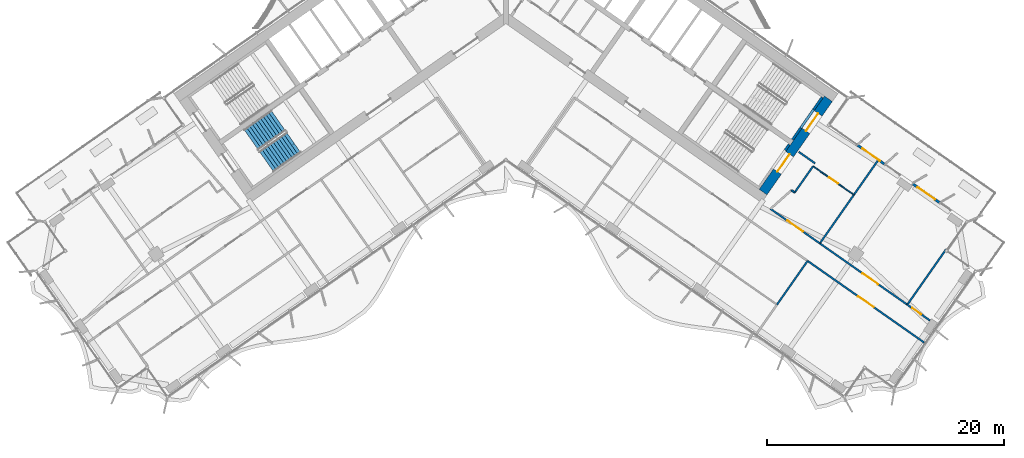
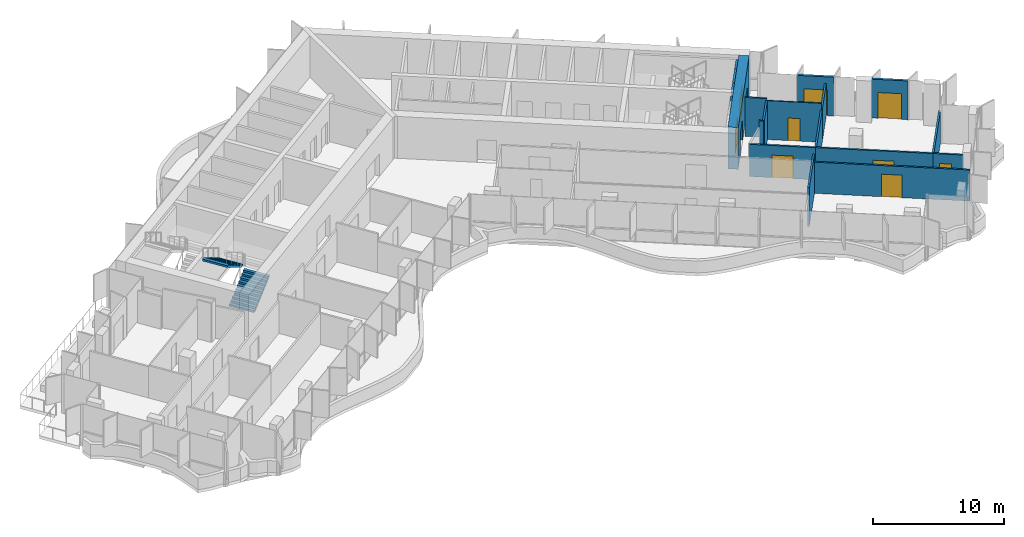
# One storey, part 16 of 24: 19 walls, 9 doors, 2 stair flights, 9 openings, 1 element without a shape of its own.
"""IFC4 building model written with IfcOpenShell, lengths in metres."""

from ifc_helpers import new_model, si_unit, direction, frame, frame_2d, origin, place, context, subcontext, project, spatial, polyline, rectangle, outline, extrude, material, layer, layer_set, type_object, element, fill, aggregate, save


model = new_model("IFC4")

# Units and contexts
model_context = context("Model", 3, precision=1e-05, world=origin(), true_north=direction((0.0, 1.0)))
body_context = subcontext(model_context, "Body", "Model", "MODEL_VIEW")
ifc_project = project(units=[si_unit("LENGTHUNIT", "METRE"), si_unit("AREAUNIT", "SQUARE_METRE"), si_unit("VOLUMEUNIT", "CUBIC_METRE"), si_unit("PLANEANGLEUNIT", "RADIAN"), si_unit("MASSUNIT", "GRAM", prefix="KILO")], contexts=[model_context])

# Site, building, storey
site_placement = place(None, origin())
site = spatial("IfcSite", under=ifc_project, at=site_placement, CompositionType="ELEMENT")
building_placement = place(site_placement, origin())
building = spatial("IfcBuilding", under=site, at=building_placement, Name="Tel Ilan Convention Tower", CompositionType="ELEMENT")
storey_placement = place(building_placement, frame((0.0, 0.0, 132.0)))
storey = spatial("IfcBuildingStorey", under=building, at=storey_placement, Name="L29", CompositionType="ELEMENT", Elevation=132.0)

# Wall, openings, doors
ifc_material_1 = material(Name="Concrete C50/60", Category="concrete")
ifc_layer_1 = layer(ifc_material_1, 0.800048828125)
ifc_layer_set_1 = layer_set([ifc_layer_1], Name="Core Shear Wall 800 mm C50/60")
wall_type_1 = type_object("IfcWallType", Name="Core Shear Wall 800 mm C50/60", PredefinedType="SHEAR", material=ifc_layer_set_1)
wall_1_placement = place(storey_placement, frame((21.6748046875, -15.4208984375, 0.0), z_axis=(0.0, 0.0, 1.0), x_axis=(0.573581815061, 0.819148278049, 0.0)))
wall_1 = element("IfcWall", 1, at=wall_1_placement, inside=storey, type_object=wall_type_1, Name="L29 core wall E-end", PredefinedType="SHEAR", context=body_context, shape_type="SweptSolid", body=[
    extrude(outline(polyline([(9.599853515625, 0.400146484375), (0.0, 0.39990234375), (0.0, -0.39990234375), (9.599853515625, -0.39990234375), (9.599853515625, 0.400146484375)])), origin(), (0.0, 0.0, 1.0), 3.89990234375),
])
opening_1_placement = place(wall_1_placement, frame((6.300048828125, 0.0, 0.0)))
opening_1 = element("IfcOpeningElement", 2, at=opening_1_placement, cuts=wall_1, Name="Opening SD2303", PredefinedType="OPENING", context=body_context, shape_type="SweptSolid", body=[
    extrude(rectangle(XDim=1.800048828125, YDim=2.10009765625, at=frame_2d((0.89990234375, 1.050048828125))), frame((0.0, 0.409912109375, 0.0), z_axis=(0.0, -1.0, 0.0), x_axis=(1.0, 0.0, 0.0)), (0.0, 0.0, 1.0), 0.820068359375),
])
opening_2_placement = place(wall_1_placement, frame((2.10009765625, 0.0, 0.0)))
opening_2 = element("IfcOpeningElement", 3, at=opening_2_placement, cuts=wall_1, Name="Opening SD2304", PredefinedType="OPENING", context=body_context, shape_type="SweptSolid", body=[
    extrude(rectangle(XDim=1.800048828125, YDim=2.10009765625, at=frame_2d((0.89990234375, 1.050048828125))), frame((0.0, 0.409912109375, 0.0), z_axis=(0.0, -1.0, 0.0), x_axis=(1.0, 0.0, 0.0)), (0.0, 0.0, 1.0), 0.820068359375),
])
ifc_material_2 = material(Name="Galvanised Steel Door Leaf", Category="steel")
door_type_1 = type_object("IfcDoorType", Name="Stair Fire Door 1800 x 2100 FD60S", OperationType="NOTDEFINED", PredefinedType="DOOR", material=ifc_material_2)
door_1_placement = place(opening_1_placement, origin())
door_1 = element("IfcDoor", 4, at=door_1_placement, inside=storey, type_object=door_type_1, Name="Stair S3 door", OperationType="DOUBLE_DOOR_SINGLE_SWING", OverallHeight=2.10009765625, OverallWidth=1.800048828125, PredefinedType="DOOR", context=body_context, shape_type="SweptSolid", body=[
    extrude(rectangle(XDim=1.800048828125, YDim=2.10009765625, at=frame_2d((0.89990234375, 1.050048828125))), frame((0.0, 0.02490234375, 0.0), z_axis=(0.0, -1.0, 0.0), x_axis=(1.0, 0.0, 0.0)), (0.0, 0.0, 1.0), 0.050048828125),
])
fill(opening_1, door_1)
door_2_placement = place(opening_2_placement, origin())
door_2 = element("IfcDoor", 5, at=door_2_placement, inside=storey, type_object=door_type_1, Name="Stair S4 door", OperationType="DOUBLE_DOOR_SINGLE_SWING", OverallHeight=2.10009765625, OverallWidth=1.800048828125, PredefinedType="DOOR", context=body_context, shape_type="SweptSolid", body=[
    extrude(rectangle(XDim=1.800048828125, YDim=2.10009765625, at=frame_2d((0.89990234375, 1.050048828125))), frame((0.0, 0.02490234375, 0.0), z_axis=(0.0, -1.0, 0.0), x_axis=(1.0, 0.0, 0.0)), (0.0, 0.0, 1.0), 0.050048828125),
])
fill(opening_2, door_2)

# Wall, opening, door
ifc_material_3 = material(Name="Plasterboard on Steel Studs", Category="steel")
ifc_layer_2 = layer(ifc_material_3, 0.14990234375)
ifc_layer_set_2 = layer_set([ifc_layer_2], Name="Fire-rated Partition 150 EI 60")
wall_type_2 = type_object("IfcWallType", Name="Fire-rated Partition 150 EI 60", PredefinedType="PARTITIONING", material=ifc_layer_set_2)
wall_2_placement = place(storey_placement, frame((22.299560546875, -16.835205078125, 0.0), z_axis=(0.0, 0.0, 1.0), x_axis=(0.819173202411, -0.573546218235, 0.0)))
wall_2 = element("IfcWall", 6, at=wall_2_placement, inside=storey, type_object=wall_type_2, Name="Partition 001", PredefinedType="PARTITIONING", context=body_context, shape_type="SweptSolid", body=[
    extrude(rectangle(XDim=5.0791015625, YDim=0.14990234375, at=frame_2d((2.53955078125, 0.0))), origin(), (0.0, 0.0, 1.0), 3.0),
])
opening_3_placement = place(wall_2_placement, frame((1.739501953125, 0.0, 0.0)))
opening_3 = element("IfcOpeningElement", 7, at=opening_3_placement, cuts=wall_2, Name="Opening L29-017", PredefinedType="OPENING", context=body_context, shape_type="SweptSolid", body=[
    extrude(rectangle(XDim=1.60009765625, YDim=2.10009765625, at=frame_2d((0.800048828125, 1.050048828125))), frame((0.0, 0.0849609375, 0.0), z_axis=(0.0, -1.0, 0.0), x_axis=(1.0, 0.0, 0.0)), (0.0, 0.0, 1.0), 0.169921875),
])
ifc_material_4 = material(Name="Timber Door Leaf in Steel Frame", Category="steel")
door_type_2 = type_object("IfcDoorType", Name="Tenant Suite Entrance Fire Door 1600x2100", OperationType="NOTDEFINED", PredefinedType="DOOR", material=ifc_material_4)
door_3_placement = place(opening_3_placement, origin())
door_3 = element("IfcDoor", 8, at=door_3_placement, inside=storey, type_object=door_type_2, Name="Door L29-017", OperationType="DOUBLE_DOOR_SINGLE_SWING", OverallHeight=2.10009765625, OverallWidth=1.60009765625, PredefinedType="DOOR", context=body_context, shape_type="SweptSolid", body=[
    extrude(rectangle(XDim=1.60009765625, YDim=2.10009765625, at=frame_2d((0.800048828125, 1.050048828125))), frame((0.0, 0.02490234375, 0.0), z_axis=(0.0, -1.0, 0.0), x_axis=(1.0, 0.0, 0.0)), (0.0, 0.0, 1.0), 0.050048828125),
])
fill(opening_3, door_3)

wall_3_placement = place(storey_placement, frame((26.456787109375, -19.74609375, 0.0), z_axis=(0.0, 0.0, 1.0), x_axis=(0.819164400877, -0.57355878891, 0.0)))
wall_3 = element("IfcWall", 9, at=wall_3_placement, inside=storey, type_object=wall_type_2, Name="Partition 002", PredefinedType="PARTITIONING", context=body_context, shape_type="SweptSolid", body=[
    extrude(rectangle(XDim=9.00390625, YDim=0.14990234375, at=frame_2d((4.501953125, 0.0))), origin(), (0.0, 0.0, 1.0), 3.0),
])
opening_4_placement = place(wall_3_placement, frame((4.402099609375, 0.0, 0.0)))
opening_4 = element("IfcOpeningElement", 10, at=opening_4_placement, cuts=wall_3, Name="Opening L29-019", PredefinedType="OPENING", context=body_context, shape_type="SweptSolid", body=[
    extrude(rectangle(XDim=1.60009765625, YDim=2.10009765625, at=frame_2d((0.800048828125, 1.050048828125))), frame((0.0, 0.0849609375, 0.0), z_axis=(0.0, -1.0, 0.0), x_axis=(1.0, 0.0, 0.0)), (0.0, 0.0, 1.0), 0.169921875),
])
door_4_placement = place(opening_4_placement, origin())
door_4 = element("IfcDoor", 11, at=door_4_placement, inside=storey, type_object=door_type_2, Name="Door L29-019", OperationType="DOUBLE_DOOR_SINGLE_SWING", OverallHeight=2.10009765625, OverallWidth=1.60009765625, PredefinedType="DOOR", context=body_context, shape_type="SweptSolid", body=[
    extrude(rectangle(XDim=1.60009765625, YDim=2.10009765625, at=frame_2d((0.800048828125, 1.050048828125))), frame((0.0, 0.02490234375, 0.0), z_axis=(0.0, -1.0, 0.0), x_axis=(1.0, 0.0, 0.0)), (0.0, 0.0, 1.0), 0.050048828125),
])
fill(opening_4, door_4)

wall_4_placement = place(storey_placement, frame((33.8291015625, -24.908203125, 0.0), z_axis=(0.0, 0.0, 1.0), x_axis=(0.81915814261, -0.573567726947, 0.0)))
wall_4 = element("IfcWall", 12, at=wall_4_placement, inside=storey, type_object=wall_type_2, Name="Partition 003", PredefinedType="PARTITIONING", context=body_context, shape_type="SweptSolid", body=[
    extrude(rectangle(XDim=2.33203125, YDim=0.14990234375, at=frame_2d((1.166015625, 0.0))), origin(), (0.0, 0.0, 1.0), 3.0),
])
opening_5_placement = place(wall_4_placement, frame((0.51611328125, 0.0, 0.0)))
opening_5 = element("IfcOpeningElement", 13, at=opening_5_placement, cuts=wall_4, Name="Opening L29-020", PredefinedType="OPENING", context=body_context, shape_type="SweptSolid", body=[
    extrude(rectangle(XDim=0.89990234375, YDim=2.10009765625, at=frame_2d((0.449951171875, 1.050048828125))), frame((0.0, 0.0849609375, 0.0), z_axis=(0.0, -1.0, 0.0), x_axis=(1.0, 0.0, 0.0)), (0.0, 0.0, 1.0), 0.169921875),
])
ifc_material_5 = material(Name="Timber Door Leaf in Steel Frame", Category="steel")
door_type_3 = type_object("IfcDoorType", Name="Room Fire Door 900x2100", OperationType="NOTDEFINED", PredefinedType="DOOR", material=ifc_material_5)
door_5_placement = place(opening_5_placement, origin())
door_5 = element("IfcDoor", 14, at=door_5_placement, inside=storey, type_object=door_type_3, Name="Door L29-020", OperationType="SINGLE_SWING_RIGHT", OverallHeight=2.10009765625, OverallWidth=0.89990234375, PredefinedType="DOOR", context=body_context, shape_type="SweptSolid", body=[
    extrude(rectangle(XDim=0.89990234375, YDim=2.10009765625, at=frame_2d((0.449951171875, 1.050048828125))), frame((0.0, 0.02490234375, 0.0), z_axis=(0.0, -1.0, 0.0), x_axis=(1.0, 0.0, 0.0)), (0.0, 0.0, 1.0), 0.050048828125),
])
fill(opening_5, door_5)

wall_5_placement = place(storey_placement, frame((35.25634765625, -28.103759765625, 0.0), z_axis=(0.0, 0.0, 1.0), x_axis=(-0.819174576401, 0.573544255814, 0.0)))
wall_5 = element("IfcWall", 15, at=wall_5_placement, inside=storey, type_object=wall_type_2, Name="Partition 006", PredefinedType="PARTITIONING", context=body_context, shape_type="SweptSolid", body=[
    extrude(rectangle(XDim=12.001708984375, YDim=0.14990234375, at=frame_2d((6.0009765625, 0.0))), origin(), (0.0, 0.0, 1.0), 2.89990234375),
])
opening_6_placement = place(wall_5_placement, frame((5.200927734375, 0.0, 0.0)))
opening_6 = element("IfcOpeningElement", 16, at=opening_6_placement, cuts=wall_5, Name="Opening L29-016", PredefinedType="OPENING", context=body_context, shape_type="SweptSolid", body=[
    extrude(rectangle(XDim=1.60009765625, YDim=2.10009765625, at=frame_2d((0.800048828125, 1.050048828125))), frame((0.0, 0.0849609375, 0.0), z_axis=(0.0, -1.0, 0.0), x_axis=(1.0, 0.0, 0.0)), (0.0, 0.0, 1.0), 0.169921875),
])
door_6_placement = place(opening_6_placement, origin())
door_6 = element("IfcDoor", 17, at=door_6_placement, inside=storey, type_object=door_type_2, Name="Door L29-016", OperationType="DOUBLE_DOOR_SINGLE_SWING", OverallHeight=2.10009765625, OverallWidth=1.60009765625, PredefinedType="DOOR", context=body_context, shape_type="SweptSolid", body=[
    extrude(rectangle(XDim=1.60009765625, YDim=2.10009765625, at=frame_2d((0.800048828125, 1.050048828125))), frame((0.0, 0.02490234375, 0.0), z_axis=(0.0, -1.0, 0.0), x_axis=(1.0, 0.0, 0.0)), (0.0, 0.0, 1.0), 0.050048828125),
])
fill(opening_6, door_6)

# Walls
wall_6_placement = place(storey_placement, frame((31.333740234375, -12.784423828125, 0.0), z_axis=(0.0, 0.0, 1.0), x_axis=(-0.573555999232, -0.819166354134, 0.0)))
element("IfcWall", 18, at=wall_6_placement, inside=storey, type_object=wall_type_2, Name="Partition 016", PredefinedType="PARTITIONING", context=body_context, shape_type="SweptSolid", body=[
    extrude(rectangle(XDim=3.4990234375, YDim=0.14990234375, at=frame_2d((1.74951171875, 0.0))), origin(), (0.0, 0.0, 1.0), 3.0),
])
wall_7_placement = place(storey_placement, frame((26.057861328125, -12.99658203125, 0.0), z_axis=(0.0, 0.0, 1.0), x_axis=(-0.819109000826, 0.573637903879, 0.0)))
element("IfcWall", 19, at=wall_7_placement, inside=storey, type_object=wall_type_2, Name="Partition 017", PredefinedType="PARTITIONING", context=body_context, shape_type="SweptSolid", body=[
    extrude(rectangle(XDim=1.679931640625, YDim=0.14990234375, at=frame_2d((0.83984375, 0.0))), origin(), (0.0, 0.0, 1.0), 3.6201171875),
])
wall_8_placement = place(storey_placement, frame((29.326416015625, -15.6513671875, 0.0), z_axis=(0.0, 0.0, 1.0), x_axis=(-0.573563925118, -0.819160804606, 0.0)))
element("IfcWall", 20, at=wall_8_placement, inside=storey, type_object=wall_type_2, Name="Partition 018", PredefinedType="PARTITIONING", context=body_context, shape_type="SweptSolid", body=[
    extrude(rectangle(XDim=5.000244140625, YDim=0.14990234375, at=frame_2d((2.5, 0.0))), origin(), (0.0, 0.0, 1.0), 3.0),
])
wall_9_placement = place(storey_placement, frame((24.066650390625, -15.2646484375, 0.0), z_axis=(0.0, 0.0, 1.0), x_axis=(0.819092976344, -0.573660784876, 0.0)))
element("IfcWall", 21, at=wall_9_placement, inside=storey, type_object=wall_type_2, Name="Partition 020", PredefinedType="PARTITIONING", context=body_context, shape_type="SweptSolid", body=[
    extrude(rectangle(XDim=0.330322265625, YDim=0.14990234375, at=frame_2d((0.1650390625, 0.0))), origin(), (0.0, 0.0, 1.0), 3.6201171875),
])
wall_10_placement = place(storey_placement, frame((24.337158203125, -15.4541015625, 0.0), z_axis=(0.0, 0.0, 1.0), x_axis=(0.573626181702, 0.819117209968, 0.0)))
element("IfcWall", 22, at=wall_10_placement, inside=storey, type_object=wall_type_2, Name="Partition 021", PredefinedType="PARTITIONING", context=body_context, shape_type="SweptSolid", body=[
    extrude(rectangle(XDim=2.699951171875, YDim=0.14990234375, at=frame_2d((1.35009765625, 0.0))), origin(), (0.0, 0.0, 1.0), 3.6201171875),
])
wall_11_placement = place(storey_placement, frame((37.101318359375, -20.238525390625, 0.0), z_axis=(0.0, 0.0, 1.0), x_axis=(-0.573565788323, -0.819159500015, 0.0)))
element("IfcWall", 23, at=wall_11_placement, inside=storey, type_object=wall_type_2, Name="Partition 022", PredefinedType="PARTITIONING", context=body_context, shape_type="SweptSolid", body=[
    extrude(rectangle(XDim=5.7021484375, YDim=0.14990234375, at=frame_2d((2.85107421875, 0.0))), origin(), (0.0, 0.0, 1.0), 3.0),
])
wall_12_placement = place(storey_placement, frame((25.426025390625, -21.2216796875, 0.0), z_axis=(0.0, 0.0, 1.0), x_axis=(-0.573586141663, -0.819145248471, 0.0)))
element("IfcWall", 24, at=wall_12_placement, inside=storey, type_object=wall_type_2, Name="Partition 031", PredefinedType="PARTITIONING", context=body_context, shape_type="SweptSolid", body=[
    extrude(rectangle(XDim=4.499755859375, YDim=0.14990234375, at=frame_2d((2.25, 0.0))), origin(), (0.0, 0.0, 1.0), 3.6201171875),
])

# Wall, opening, door
ifc_material_6 = material(Name="Plasterboard on Steel Studs", Category="steel")
ifc_layer_3 = layer(ifc_material_6, 0.10009765625)
ifc_layer_set_3 = layer_set([ifc_layer_3], Name="Plasterboard Partition 100")
wall_type_3 = type_object("IfcWallType", Name="Plasterboard Partition 100", PredefinedType="PARTITIONING", material=ifc_layer_set_3)
wall_13_placement = place(storey_placement, frame((25.886474609375, -13.24169921875, 0.0), z_axis=(0.0, 0.0, 1.0), x_axis=(0.819160910421, -0.573563773994, 0.0)))
wall_13 = element("IfcWall", 25, at=wall_13_placement, inside=storey, type_object=wall_type_3, Name="Partition 015", PredefinedType="PARTITIONING", context=body_context, shape_type="SweptSolid", body=[
    extrude(rectangle(XDim=4.199951171875, YDim=0.10009765625, at=frame_2d((2.10009765625, 0.0))), origin(), (0.0, 0.0, 1.0), 3.6201171875),
])
opening_7_placement = place(wall_13_placement, frame((1.64990234375, 0.0, 0.0)))
opening_7 = element("IfcOpeningElement", 26, at=opening_7_placement, cuts=wall_13, Name="Opening L29-018", PredefinedType="OPENING", context=body_context, shape_type="SweptSolid", body=[
    extrude(rectangle(XDim=0.89990234375, YDim=2.10009765625, at=frame_2d((0.449951171875, 1.050048828125))), frame((0.0, 0.06005859375, 0.0), z_axis=(0.0, -1.0, 0.0), x_axis=(1.0, 0.0, 0.0)), (0.0, 0.0, 1.0), 0.1201171875),
])
ifc_material_7 = material(Name="Timber Door Leaf in Steel Frame", Category="steel")
door_type_4 = type_object("IfcDoorType", Name="Room Timber Door 900x2100", OperationType="NOTDEFINED", PredefinedType="DOOR", material=ifc_material_7)
door_7_placement = place(opening_7_placement, origin())
door_7 = element("IfcDoor", 27, at=door_7_placement, inside=storey, type_object=door_type_4, Name="Door L29-018", OperationType="SINGLE_SWING_LEFT", OverallHeight=2.10009765625, OverallWidth=0.89990234375, PredefinedType="DOOR", context=body_context, shape_type="SweptSolid", body=[
    extrude(rectangle(XDim=0.89990234375, YDim=2.10009765625, at=frame_2d((0.449951171875, 1.050048828125))), frame((0.0, 0.02490234375, 0.0), z_axis=(0.0, -1.0, 0.0), x_axis=(1.0, 0.0, 0.0)), (0.0, 0.0, 1.0), 0.050048828125),
])
fill(opening_7, door_7)

# Walls
ifc_material_8 = material(Name="Concrete C30/37", Category="concrete")
ifc_layer_4 = layer(ifc_material_8, 0.199951171875)
ifc_layer_set_4 = layer_set([ifc_layer_4], Name="Stair and Shaft Lining Wall 200 mm C30/37")
wall_type_4 = type_object("IfcWallType", Name="Stair and Shaft Lining Wall 200 mm C30/37", PredefinedType="SOLIDWALL", material=ifc_layer_set_4)
wall_14_placement = place(storey_placement, frame((24.16162109375, -10.99755859375, 0.0), z_axis=(0.0, 0.0, 1.0), x_axis=(0.573612502218, 0.819126789514, 0.0)))
element("IfcWall", 28, at=wall_14_placement, inside=storey, type_object=wall_type_4, Name="L29 core wall lining-S3-u1-0", PredefinedType="SOLIDWALL", context=body_context, shape_type="SweptSolid", body=[
    extrude(rectangle(XDim=1.2001953125, YDim=0.199951171875, at=frame_2d((0.60009765625, 0.0))), origin(), (0.0, 0.0, 1.0), 3.6201171875),
])
wall_15_placement = place(storey_placement, frame((25.939697265625, -8.4580078125, 0.0), z_axis=(0.0, 0.0, 1.0), x_axis=(0.573619628835, 0.819121798889, 0.0)))
element("IfcWall", 29, at=wall_15_placement, inside=storey, type_object=wall_type_4, Name="L29 core wall lining-S3-u1-1", PredefinedType="SOLIDWALL", context=body_context, shape_type="SweptSolid", body=[
    extrude(rectangle(XDim=1.25, YDim=0.199951171875, at=frame_2d((0.625, 0.0))), origin(), (0.0, 0.0, 1.0), 3.6201171875),
])
wall_16_placement = place(storey_placement, frame((24.85009765625, -10.014404296875, 2.14990234375), z_axis=(0.0, 0.0, 1.0), x_axis=(0.573505465124, 0.819201734296, 0.0)))
element("IfcWall", 30, at=wall_16_placement, inside=storey, type_object=wall_type_4, Name="L29 core wall lining-S3-u1-lintel", PredefinedType="SOLIDWALL", context=body_context, shape_type="SweptSolid", body=[
    extrude(rectangle(XDim=1.89990234375, YDim=0.199951171875, at=frame_2d((0.949951171875, 0.0))), origin(), (0.0, 0.0, 1.0), 1.47021484375),
])
wall_17_placement = place(storey_placement, frame((23.53076171875, -11.8984375, 0.0), z_axis=(0.0, 0.0, 1.0), x_axis=(0.573708088123, 0.819059844958, 0.0)))
element("IfcWall", 31, at=wall_17_placement, inside=storey, type_object=wall_type_4, Name="L29 core wall lining-S4-u1-1", PredefinedType="SOLIDWALL", context=body_context, shape_type="SweptSolid", body=[
    extrude(rectangle(XDim=0.60009765625, YDim=0.199951171875, at=frame_2d((0.300048828125, 0.0))), origin(), (0.0, 0.0, 1.0), 3.6201171875),
])

# Wall, opening, door
ifc_material_9 = material(Name="Aluminium composite cladding, bronze anodised on steel studs", Category="steel")
ifc_layer_5 = layer(ifc_material_9, 0.199951171875)
ifc_layer_set_5 = layer_set([ifc_layer_5], Name="TERRACE DOOR BAY WALL 200")
wall_type_5 = type_object("IfcWallType", Name="TERRACE DOOR BAY WALL 200", PredefinedType="SOLIDWALL", material=ifc_layer_set_5)
wall_18_placement = place(storey_placement, frame((36.576416015625, -16.333251953125, 0.0), z_axis=(0.0, 0.0, 1.0), x_axis=(-0.81917415632, 0.573544855802, 0.0)))
wall_18 = element("IfcWall", 32, at=wall_18_placement, inside=storey, type_object=wall_type_5, Name="Terrace door bay", PredefinedType="SOLIDWALL", context=body_context, shape_type="SweptSolid", body=[
    extrude(rectangle(XDim=2.780029296875, YDim=0.199951171875, at=frame_2d((1.39013671875, 0.0))), origin(), (0.0, 0.0, 1.0), 3.6201171875),
])
opening_8_placement = place(wall_18_placement, frame((0.489990234375, 0.0, 0.0)))
opening_8 = element("IfcOpeningElement", 33, at=opening_8_placement, cuts=wall_18, Name="Opening T29.01", PredefinedType="OPENING", context=body_context, shape_type="SweptSolid", body=[
    extrude(rectangle(XDim=1.800048828125, YDim=2.39990234375, at=frame_2d((0.89990234375, 1.199951171875))), frame((0.0, 0.10986328125, 0.0), z_axis=(0.0, -1.0, 0.0), x_axis=(1.0, 0.0, 0.0)), (0.0, 0.0, 1.0), 0.219970703125),
])
ifc_material_10 = material(Name="Aluminium framed glazed door, bronze anodised", Category="aluminium")
door_type_5 = type_object("IfcDoorType", Name="TERRACE DOUBLE DOOR 1800x2400", OperationType="NOTDEFINED", PredefinedType="DOOR", material=ifc_material_10)
door_8_placement = place(opening_8_placement, origin())
door_8 = element("IfcDoor", 34, at=door_8_placement, inside=storey, type_object=door_type_5, Name="Terrace door", OperationType="DOUBLE_DOOR_DOUBLE_SWING", OverallHeight=2.39990234375, OverallWidth=1.800048828125, PredefinedType="DOOR", context=body_context, shape_type="SweptSolid", body=[
    extrude(rectangle(XDim=1.800048828125, YDim=2.39990234375, at=frame_2d((0.89990234375, 1.199951171875))), frame((0.0, 0.02490234375, 0.0), z_axis=(0.0, -1.0, 0.0), x_axis=(1.0, 0.0, 0.0)), (0.0, 0.0, 1.0), 0.050048828125),
])
fill(opening_8, door_8)

wall_19_placement = place(storey_placement, frame((31.923583984375, -13.0751953125, 0.0), z_axis=(0.0, 0.0, 1.0), x_axis=(-0.819145264869, 0.573586118244, 0.0)))
wall_19 = element("IfcWall", 35, at=wall_19_placement, inside=storey, type_object=wall_type_5, Name="Terrace door bay", PredefinedType="SOLIDWALL", context=body_context, shape_type="SweptSolid", body=[
    extrude(rectangle(XDim=2.77978515625, YDim=0.199951171875, at=frame_2d((1.389892578125, 0.0))), origin(), (0.0, 0.0, 1.0), 3.6201171875),
])
opening_9_placement = place(wall_19_placement, frame((0.489990234375, 0.0, 0.0)))
opening_9 = element("IfcOpeningElement", 36, at=opening_9_placement, cuts=wall_19, Name="Opening T29.02", PredefinedType="OPENING", context=body_context, shape_type="SweptSolid", body=[
    extrude(rectangle(XDim=1.800048828125, YDim=2.39990234375, at=frame_2d((0.89990234375, 1.199951171875))), frame((0.0, 0.10986328125, 0.0), z_axis=(0.0, -1.0, 0.0), x_axis=(1.0, 0.0, 0.0)), (0.0, 0.0, 1.0), 0.219970703125),
])
door_9_placement = place(opening_9_placement, origin())
door_9 = element("IfcDoor", 37, at=door_9_placement, inside=storey, type_object=door_type_5, Name="Terrace door", OperationType="DOUBLE_DOOR_DOUBLE_SWING", OverallHeight=2.39990234375, OverallWidth=1.800048828125, PredefinedType="DOOR", context=body_context, shape_type="SweptSolid", body=[
    extrude(rectangle(XDim=1.800048828125, YDim=2.39990234375, at=frame_2d((0.89990234375, 1.199951171875))), frame((0.0, 0.02490234375, 0.0), z_axis=(0.0, -1.0, 0.0), x_axis=(1.0, 0.0, 0.0)), (0.0, 0.0, 1.0), 0.050048828125),
])
fill(opening_9, door_9)

# Stair, stair flights
ifc_material_11 = material(Name="Concrete C40/50", Category="concrete")
stair_type = type_object("IfcStairType", Name="Pressurised Exit Stair 22 risers 177 mm", PredefinedType="HALF_TURN_STAIR", material=ifc_material_11)
stair_placement = place(storey_placement, origin())
stair = element("IfcStair", 38, at=stair_placement, inside=storey, type_object=stair_type, Name="L29 Pressurised Stair S2", PredefinedType="HALF_TURN_STAIR")
ifc_material_12 = material(Name="Precast Concrete C40/50", Category="concrete")
stair_flight_type = type_object("IfcStairFlightType", Name="Concrete Stair Flight 2100 mm 22 risers 177 mm", PredefinedType="STRAIGHT", material=ifc_material_12)
stair_flight_1_placement = place(storey_placement, frame((-20.179931640625, -12.848388671875, 0.0), z_axis=(0.0, 0.0, 1.0), x_axis=(0.819152044289, 0.573576436351, 0.0)))
stair_flight_1 = element("IfcStairFlight", 39, at=stair_flight_1_placement, type_object=stair_flight_type, Name="S2 flight 1", NumberOfRisers=11, NumberOfTreads=10, PredefinedType="STRAIGHT", RiserHeight=0.177272727, TreadLength=0.28, context=body_context, shape_type="SweptSolid", body=[
    extrude(outline(polyline([(0.0, 0.0), (0.0, 0.17724609375), (0.280029296875, 0.17724609375), (0.280029296875, 0.3544921875), (0.56005859375, 0.3544921875), (0.56005859375, 0.53173828125), (0.840087890625, 0.53173828125), (0.840087890625, 0.708984375), (1.1201171875, 0.708984375), (1.1201171875, 0.886474609375), (1.39990234375, 0.886474609375), (1.39990234375, 1.063720703125), (1.679931640625, 1.063720703125), (1.679931640625, 1.240966796875), (1.9599609375, 1.240966796875), (1.9599609375, 1.418212890625), (2.239990234375, 1.418212890625), (2.239990234375, 1.595458984375), (2.52001953125, 1.595458984375), (2.52001953125, 1.772705078125), (2.800048828125, 1.772705078125), (2.800048828125, 1.949951171875), (2.800048828125, 1.59521484375), (0.2802734375, 0.0), (0.0, 0.0)])), frame((0.0, -0.100341796875, 0.0), z_axis=(0.0, -1.0, 0.0), x_axis=(1.0, 0.0, 0.0)), (0.0, 0.0, 1.0), 0.94970703125),
    extrude(outline(polyline([(0.0, 0.0), (0.0, 0.17724609375), (0.280029296875, 0.17724609375), (0.280029296875, 0.3544921875), (0.56005859375, 0.3544921875), (0.56005859375, 0.53173828125), (0.840087890625, 0.53173828125), (0.840087890625, 0.708984375), (1.1201171875, 0.708984375), (1.1201171875, 0.886474609375), (1.39990234375, 0.886474609375), (1.39990234375, 1.063720703125), (1.679931640625, 1.063720703125), (1.679931640625, 1.240966796875), (1.9599609375, 1.240966796875), (1.9599609375, 1.418212890625), (2.239990234375, 1.418212890625), (2.239990234375, 1.595458984375), (2.52001953125, 1.595458984375), (2.52001953125, 1.772705078125), (2.800048828125, 1.772705078125), (2.800048828125, 1.949951171875), (2.800048828125, 1.59521484375), (0.2802734375, 0.0), (0.0, 0.0)])), frame((0.0, -0.000244140625, 0.0), z_axis=(0.0, -1.0, 0.0), x_axis=(1.0, 0.0, 0.0)), (0.0, 0.0, 1.0), 0.099609375),
    extrude(outline(polyline([(0.0, 0.0), (0.0, 0.17724609375), (0.280029296875, 0.17724609375), (0.280029296875, 0.3544921875), (0.56005859375, 0.3544921875), (0.56005859375, 0.53173828125), (0.840087890625, 0.53173828125), (0.840087890625, 0.708984375), (1.1201171875, 0.708984375), (1.1201171875, 0.886474609375), (1.39990234375, 0.886474609375), (1.39990234375, 1.063720703125), (1.679931640625, 1.063720703125), (1.679931640625, 1.240966796875), (1.9599609375, 1.240966796875), (1.9599609375, 1.418212890625), (2.239990234375, 1.418212890625), (2.239990234375, 1.595458984375), (2.52001953125, 1.595458984375), (2.52001953125, 1.772705078125), (2.800048828125, 1.772705078125), (2.800048828125, 1.949951171875), (2.800048828125, 1.59521484375), (0.2802734375, 0.0), (0.0, 0.0)])), frame((0.0, 0.099853515625, 0.0), z_axis=(0.0, -1.0, 0.0), x_axis=(1.0, 0.0, 0.0)), (0.0, 0.0, 1.0), 0.099609375),
    extrude(outline(polyline([(0.0, 0.0), (0.0, 0.17724609375), (0.280029296875, 0.17724609375), (0.280029296875, 0.3544921875), (0.56005859375, 0.3544921875), (0.56005859375, 0.53173828125), (0.840087890625, 0.53173828125), (0.840087890625, 0.708984375), (1.1201171875, 0.708984375), (1.1201171875, 0.886474609375), (1.39990234375, 0.886474609375), (1.39990234375, 1.063720703125), (1.679931640625, 1.063720703125), (1.679931640625, 1.240966796875), (1.9599609375, 1.240966796875), (1.9599609375, 1.418212890625), (2.239990234375, 1.418212890625), (2.239990234375, 1.595458984375), (2.52001953125, 1.595458984375), (2.52001953125, 1.772705078125), (2.800048828125, 1.772705078125), (2.800048828125, 1.949951171875), (2.800048828125, 1.59521484375), (0.2802734375, 0.0), (0.0, 0.0)])), frame((0.0, 1.050048828125, 0.0), z_axis=(0.0, -1.0, 0.0), x_axis=(1.0, 0.0, 0.0)), (0.0, 0.0, 1.0), 0.94970703125),
])
stair_flight_2_placement = place(storey_placement, frame((-19.177001953125, -9.399169921875, 1.949951171875), z_axis=(0.0, 0.0, 1.0), x_axis=(-0.819152044289, -0.573576436351, 0.0)))
stair_flight_2 = element("IfcStairFlight", 40, at=stair_flight_2_placement, type_object=stair_flight_type, Name="S2 flight 2", NumberOfRisers=11, NumberOfTreads=10, PredefinedType="STRAIGHT", RiserHeight=0.177272727, TreadLength=0.28, context=body_context, shape_type="SweptSolid", body=[
    extrude(outline(polyline([(0.0, 0.0), (0.0, 0.17724609375), (0.280029296875, 0.17724609375), (0.280029296875, 0.3544921875), (0.56005859375, 0.3544921875), (0.56005859375, 0.53173828125), (0.840087890625, 0.53173828125), (0.840087890625, 0.708984375), (1.1201171875, 0.708984375), (1.1201171875, 0.886474609375), (1.39990234375, 0.886474609375), (1.39990234375, 1.063720703125), (1.679931640625, 1.063720703125), (1.679931640625, 1.240966796875), (1.9599609375, 1.240966796875), (1.9599609375, 1.418212890625), (2.239990234375, 1.418212890625), (2.239990234375, 1.595458984375), (2.52001953125, 1.595458984375), (2.52001953125, 1.772705078125), (2.800048828125, 1.772705078125), (2.800048828125, 1.949951171875), (2.800048828125, 1.59521484375), (0.2802734375, 0.0), (0.0, 0.0)])), frame((0.0, -0.100341796875, 0.0), z_axis=(0.0, -1.0, 0.0), x_axis=(1.0, 0.0, 0.0)), (0.0, 0.0, 1.0), 0.94970703125),
    extrude(outline(polyline([(0.0, 0.0), (0.0, 0.17724609375), (0.280029296875, 0.17724609375), (0.280029296875, 0.3544921875), (0.56005859375, 0.3544921875), (0.56005859375, 0.53173828125), (0.840087890625, 0.53173828125), (0.840087890625, 0.708984375), (1.1201171875, 0.708984375), (1.1201171875, 0.886474609375), (1.39990234375, 0.886474609375), (1.39990234375, 1.063720703125), (1.679931640625, 1.063720703125), (1.679931640625, 1.240966796875), (1.9599609375, 1.240966796875), (1.9599609375, 1.418212890625), (2.239990234375, 1.418212890625), (2.239990234375, 1.595458984375), (2.52001953125, 1.595458984375), (2.52001953125, 1.772705078125), (2.800048828125, 1.772705078125), (2.800048828125, 1.949951171875), (2.800048828125, 1.59521484375), (0.2802734375, 0.0), (0.0, 0.0)])), frame((0.0, -0.000244140625, 0.0), z_axis=(0.0, -1.0, 0.0), x_axis=(1.0, 0.0, 0.0)), (0.0, 0.0, 1.0), 0.099609375),
    extrude(outline(polyline([(0.0, 0.0), (0.0, 0.17724609375), (0.280029296875, 0.17724609375), (0.280029296875, 0.3544921875), (0.56005859375, 0.3544921875), (0.56005859375, 0.53173828125), (0.840087890625, 0.53173828125), (0.840087890625, 0.708984375), (1.1201171875, 0.708984375), (1.1201171875, 0.886474609375), (1.39990234375, 0.886474609375), (1.39990234375, 1.063720703125), (1.679931640625, 1.063720703125), (1.679931640625, 1.240966796875), (1.9599609375, 1.240966796875), (1.9599609375, 1.418212890625), (2.239990234375, 1.418212890625), (2.239990234375, 1.595458984375), (2.52001953125, 1.595458984375), (2.52001953125, 1.772705078125), (2.800048828125, 1.772705078125), (2.800048828125, 1.949951171875), (2.800048828125, 1.59521484375), (0.2802734375, 0.0), (0.0, 0.0)])), frame((0.0, 0.099853515625, 0.0), z_axis=(0.0, -1.0, 0.0), x_axis=(1.0, 0.0, 0.0)), (0.0, 0.0, 1.0), 0.099609375),
    extrude(outline(polyline([(0.0, 0.0), (0.0, 0.17724609375), (0.280029296875, 0.17724609375), (0.280029296875, 0.3544921875), (0.56005859375, 0.3544921875), (0.56005859375, 0.53173828125), (0.840087890625, 0.53173828125), (0.840087890625, 0.708984375), (1.1201171875, 0.708984375), (1.1201171875, 0.886474609375), (1.39990234375, 0.886474609375), (1.39990234375, 1.063720703125), (1.679931640625, 1.063720703125), (1.679931640625, 1.240966796875), (1.9599609375, 1.240966796875), (1.9599609375, 1.418212890625), (2.239990234375, 1.418212890625), (2.239990234375, 1.595458984375), (2.52001953125, 1.595458984375), (2.52001953125, 1.772705078125), (2.800048828125, 1.772705078125), (2.800048828125, 1.949951171875), (2.800048828125, 1.59521484375), (0.2802734375, 0.0), (0.0, 0.0)])), frame((0.0, 1.050048828125, 0.0), z_axis=(0.0, -1.0, 0.0), x_axis=(1.0, 0.0, 0.0)), (0.0, 0.0, 1.0), 0.94970703125),
])
aggregate(stair, [stair_flight_1, stair_flight_2])

save(model, "model.ifc")
